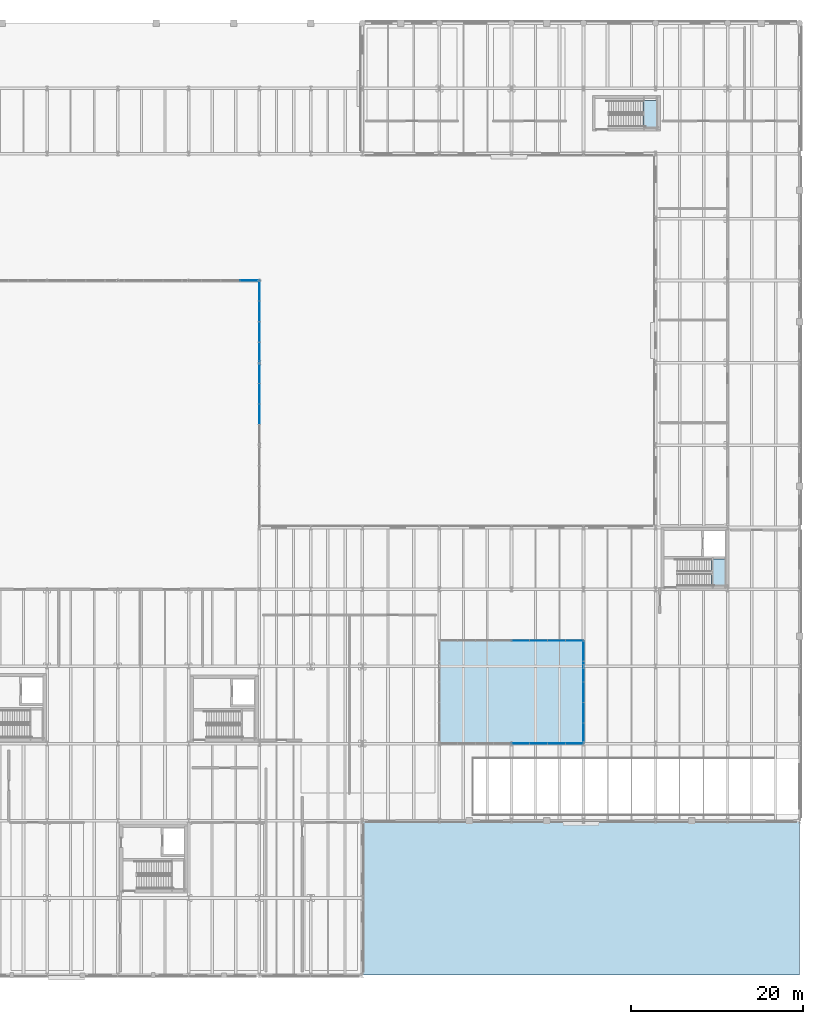
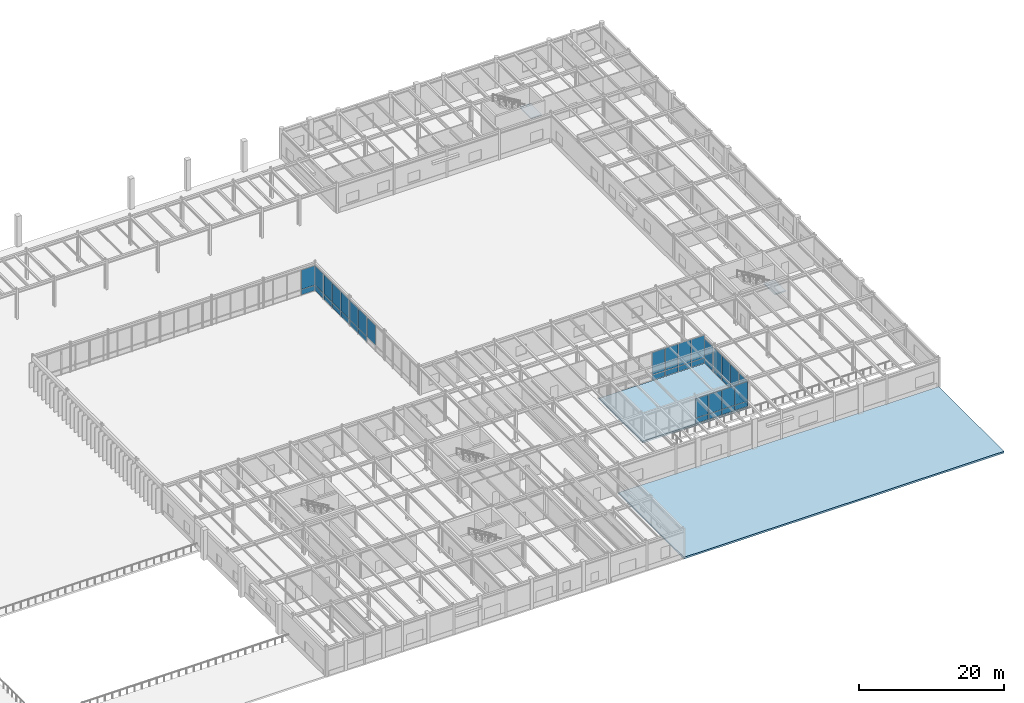
# One storey, part 36 of 64: 41 plates, 4 slabs, 8 elements without a shape of their own.
"""IFC4 building model written with IfcOpenShell, lengths in metres."""

from ifc_helpers import new_model, si_unit, direction, frame, origin, origin_2d, place, context, subcontext, project, spatial, polyline, rectangle, outline, extrude, material, layer, layer_set, type_object, element, aggregate, save


model = new_model("IFC4")

# Units and contexts
model_context = context("Model", 3, precision=1e-05, world=origin(), true_north=direction((0.0, 1.0)))
body_context = subcontext(model_context, "Body", "Model", "MODEL_VIEW")
ifc_project = project(units=[si_unit("LENGTHUNIT", "METRE"), si_unit("AREAUNIT", "SQUARE_METRE"), si_unit("VOLUMEUNIT", "CUBIC_METRE"), si_unit("PLANEANGLEUNIT", "RADIAN"), si_unit("MASSUNIT", "GRAM", prefix="KILO")], contexts=[model_context])

# Site, building, storey
site_placement = place(None, origin())
site = spatial("IfcSite", under=ifc_project, at=site_placement, CompositionType="ELEMENT")
building_placement = place(site_placement, origin())
building = spatial("IfcBuilding", under=site, at=building_placement, Name="Montealbar Specialist Clinic", CompositionType="ELEMENT")
storey_placement = place(building_placement, origin())
storey = spatial("IfcBuildingStorey", under=building, at=storey_placement, Name="L00", CompositionType="ELEMENT", Elevation=0.0)

# Curtain wall, plates
ifc_material_1 = material(Name="Low-E double glazing", Category="glass")
ifc_layer_1 = layer(ifc_material_1, 0.199951171875, Name="Low-E double glazing", Category="glass")
ifc_layer_set_1 = layer_set([ifc_layer_1], Name="Low-E double glazing")
curtain_wall_type_1 = type_object("IfcCurtainWallType", Name="CW-TYPE-05", PredefinedType="NOTDEFINED", material=ifc_layer_set_1)
curtain_wall_1_placement = place(storey_placement, origin())
curtain_wall_1 = element("IfcCurtainWall", 1, at=curtain_wall_1_placement, inside=storey, type_object=curtain_wall_type_1, Name="Unitised Curtain Wall CW-L00-1284-270-1368-270-0", PredefinedType="NOTDEFINED")
ifc_layer_2 = layer(ifc_material_1, 0.028076171875, Name="Low-E double glazing", Category="glass")
ifc_layer_set_2 = layer_set([ifc_layer_2], Name="Low-E double glazing")
plate_type_1 = type_object("IfcPlateType", Name="CW-PNL-IGU28", PredefinedType="CURTAIN_PANEL", material=ifc_layer_set_2)
plate_1_placement = place(storey_placement, frame((129.449951171875, 27.0, 0.070068359375), z_axis=(0.0, 0.0, 1.0), x_axis=(1.0, 0.0, 0.0)))
plate_1 = element("IfcPlate", 2, at=plate_1_placement, type_object=plate_type_1, Name="Glazed Curtain Panel CW-L00-1284-270-1368-270-0-1-1", PredefinedType="CURTAIN_PANEL", context=body_context, shape_type="SweptSolid", body=[
    extrude(rectangle(XDim=2.00390625, YDim=0.028076171875, at=origin_2d()), origin(), (0.0, 0.0, 1.0), 0.85009765625),
])
plate_2_placement = place(storey_placement, frame((129.449951171875, 27.0, 0.97998046875), z_axis=(0.0, 0.0, 1.0), x_axis=(1.0, 0.0, 0.0)))
plate_2 = element("IfcPlate", 3, at=plate_2_placement, type_object=plate_type_1, Name="Glazed Curtain Panel CW-L00-1284-270-1368-270-0-1-2", PredefinedType="CURTAIN_PANEL", context=body_context, shape_type="SweptSolid", body=[
    extrude(rectangle(XDim=2.00390625, YDim=0.028076171875, at=origin_2d()), origin(), (0.0, 0.0, 1.0), 3.260009765625),
])
plate_3_placement = place(storey_placement, frame((131.550048828125, 27.0, 0.070068359375), z_axis=(0.0, 0.0, 1.0), x_axis=(1.0, 0.0, 0.0)))
plate_3 = element("IfcPlate", 4, at=plate_3_placement, type_object=plate_type_1, Name="Glazed Curtain Panel CW-L00-1284-270-1368-270-0-2-1", PredefinedType="CURTAIN_PANEL", context=body_context, shape_type="SweptSolid", body=[
    extrude(rectangle(XDim=2.00390625, YDim=0.028076171875, at=origin_2d()), origin(), (0.0, 0.0, 1.0), 0.85009765625),
])
plate_4_placement = place(storey_placement, frame((131.550048828125, 27.0, 0.97998046875), z_axis=(0.0, 0.0, 1.0), x_axis=(1.0, 0.0, 0.0)))
plate_4 = element("IfcPlate", 5, at=plate_4_placement, type_object=plate_type_1, Name="Glazed Curtain Panel CW-L00-1284-270-1368-270-0-2-2", PredefinedType="CURTAIN_PANEL", context=body_context, shape_type="SweptSolid", body=[
    extrude(rectangle(XDim=2.00390625, YDim=0.028076171875, at=origin_2d()), origin(), (0.0, 0.0, 1.0), 3.260009765625),
])
plate_5_placement = place(storey_placement, frame((133.64990234375, 27.0, 0.070068359375), z_axis=(0.0, 0.0, 1.0), x_axis=(1.0, 0.0, 0.0)))
plate_5 = element("IfcPlate", 6, at=plate_5_placement, type_object=plate_type_1, Name="Glazed Curtain Panel CW-L00-1284-270-1368-270-0-3-1", PredefinedType="CURTAIN_PANEL", context=body_context, shape_type="SweptSolid", body=[
    extrude(rectangle(XDim=2.00390625, YDim=0.028076171875, at=origin_2d()), origin(), (0.0, 0.0, 1.0), 0.85009765625),
])
plate_6_placement = place(storey_placement, frame((133.64990234375, 27.0, 0.97998046875), z_axis=(0.0, 0.0, 1.0), x_axis=(1.0, 0.0, 0.0)))
plate_6 = element("IfcPlate", 7, at=plate_6_placement, type_object=plate_type_1, Name="Glazed Curtain Panel CW-L00-1284-270-1368-270-0-3-2", PredefinedType="CURTAIN_PANEL", context=body_context, shape_type="SweptSolid", body=[
    extrude(rectangle(XDim=2.00390625, YDim=0.028076171875, at=origin_2d()), origin(), (0.0, 0.0, 1.0), 3.260009765625),
])
plate_7_placement = place(storey_placement, frame((135.75, 27.0, 0.070068359375), z_axis=(0.0, 0.0, 1.0), x_axis=(1.0, 0.0, 0.0)))
plate_7 = element("IfcPlate", 8, at=plate_7_placement, type_object=plate_type_1, Name="Glazed Curtain Panel CW-L00-1284-270-1368-270-0-4-1", PredefinedType="CURTAIN_PANEL", context=body_context, shape_type="SweptSolid", body=[
    extrude(rectangle(XDim=2.00390625, YDim=0.028076171875, at=origin_2d()), origin(), (0.0, 0.0, 1.0), 0.85009765625),
])
plate_8_placement = place(storey_placement, frame((135.75, 27.0, 0.97998046875), z_axis=(0.0, 0.0, 1.0), x_axis=(1.0, 0.0, 0.0)))
plate_8 = element("IfcPlate", 9, at=plate_8_placement, type_object=plate_type_1, Name="Glazed Curtain Panel CW-L00-1284-270-1368-270-0-4-2", PredefinedType="CURTAIN_PANEL", context=body_context, shape_type="SweptSolid", body=[
    extrude(rectangle(XDim=2.00390625, YDim=0.028076171875, at=origin_2d()), origin(), (0.0, 0.0, 1.0), 3.260009765625),
])
aggregate(curtain_wall_1, [plate_1, plate_2, plate_3, plate_4, plate_5, plate_6, plate_7, plate_8])

ifc_layer_3 = layer(ifc_material_1, 0.199951171875, Name="Low-E double glazing", Category="glass")
ifc_layer_set_3 = layer_set([ifc_layer_3], Name="Low-E double glazing")
curtain_wall_type_2 = type_object("IfcCurtainWallType", Name="CW-TYPE-04", PredefinedType="NOTDEFINED", material=ifc_layer_set_3)
curtain_wall_2_placement = place(storey_placement, origin())
curtain_wall_2 = element("IfcCurtainWall", 10, at=curtain_wall_2_placement, inside=storey, type_object=curtain_wall_type_2, Name="Unitised Curtain Wall CW-L00-1368-270-1368-390-0", PredefinedType="NOTDEFINED")
plate_9_placement = place(storey_placement, frame((136.800048828125, 28.199951171875, 0.070068359375), z_axis=(0.0, 0.0, 1.0), x_axis=(0.0, 1.0, 0.0)))
plate_9 = element("IfcPlate", 11, at=plate_9_placement, type_object=plate_type_1, Name="Glazed Curtain Panel CW-L00-1368-270-1368-390-0-1-1", PredefinedType="CURTAIN_PANEL", context=body_context, shape_type="SweptSolid", body=[
    extrude(rectangle(XDim=2.303955078125, YDim=0.028076171875, at=origin_2d()), origin(), (0.0, 0.0, 1.0), 0.85009765625),
])
plate_10_placement = place(storey_placement, frame((136.800048828125, 28.199951171875, 0.97998046875), z_axis=(0.0, 0.0, 1.0), x_axis=(0.0, 1.0, 0.0)))
plate_10 = element("IfcPlate", 12, at=plate_10_placement, type_object=plate_type_1, Name="Glazed Curtain Panel CW-L00-1368-270-1368-390-0-1-2", PredefinedType="CURTAIN_PANEL", context=body_context, shape_type="SweptSolid", body=[
    extrude(rectangle(XDim=2.303955078125, YDim=0.028076171875, at=origin_2d()), origin(), (0.0, 0.0, 1.0), 3.260009765625),
])
plate_11_placement = place(storey_placement, frame((136.800048828125, 30.60009765625, 0.070068359375), z_axis=(0.0, 0.0, 1.0), x_axis=(0.0, 1.0, 0.0)))
plate_11 = element("IfcPlate", 13, at=plate_11_placement, type_object=plate_type_1, Name="Glazed Curtain Panel CW-L00-1368-270-1368-390-0-2-1", PredefinedType="CURTAIN_PANEL", context=body_context, shape_type="SweptSolid", body=[
    extrude(rectangle(XDim=2.303955078125, YDim=0.028076171875, at=origin_2d()), origin(), (0.0, 0.0, 1.0), 0.85009765625),
])
plate_12_placement = place(storey_placement, frame((136.800048828125, 30.60009765625, 0.97998046875), z_axis=(0.0, 0.0, 1.0), x_axis=(0.0, 1.0, 0.0)))
plate_12 = element("IfcPlate", 14, at=plate_12_placement, type_object=plate_type_1, Name="Glazed Curtain Panel CW-L00-1368-270-1368-390-0-2-2", PredefinedType="CURTAIN_PANEL", context=body_context, shape_type="SweptSolid", body=[
    extrude(rectangle(XDim=2.303955078125, YDim=0.028076171875, at=origin_2d()), origin(), (0.0, 0.0, 1.0), 3.260009765625),
])
plate_13_placement = place(storey_placement, frame((136.800048828125, 33.0, 0.070068359375), z_axis=(0.0, 0.0, 1.0), x_axis=(0.0, 1.0, 0.0)))
plate_13 = element("IfcPlate", 15, at=plate_13_placement, type_object=plate_type_1, Name="Glazed Curtain Panel CW-L00-1368-270-1368-390-0-3-1", PredefinedType="CURTAIN_PANEL", context=body_context, shape_type="SweptSolid", body=[
    extrude(rectangle(XDim=2.303955078125, YDim=0.028076171875, at=origin_2d()), origin(), (0.0, 0.0, 1.0), 0.85009765625),
])
plate_14_placement = place(storey_placement, frame((136.800048828125, 33.0, 0.97998046875), z_axis=(0.0, 0.0, 1.0), x_axis=(0.0, 1.0, 0.0)))
plate_14 = element("IfcPlate", 16, at=plate_14_placement, type_object=plate_type_1, Name="Glazed Curtain Panel CW-L00-1368-270-1368-390-0-3-2", PredefinedType="CURTAIN_PANEL", context=body_context, shape_type="SweptSolid", body=[
    extrude(rectangle(XDim=2.303955078125, YDim=0.028076171875, at=origin_2d()), origin(), (0.0, 0.0, 1.0), 3.260009765625),
])
plate_15_placement = place(storey_placement, frame((136.800048828125, 35.39990234375, 0.070068359375), z_axis=(0.0, 0.0, 1.0), x_axis=(0.0, 1.0, 0.0)))
plate_15 = element("IfcPlate", 17, at=plate_15_placement, type_object=plate_type_1, Name="Glazed Curtain Panel CW-L00-1368-270-1368-390-0-4-1", PredefinedType="CURTAIN_PANEL", context=body_context, shape_type="SweptSolid", body=[
    extrude(rectangle(XDim=2.303955078125, YDim=0.028076171875, at=origin_2d()), origin(), (0.0, 0.0, 1.0), 0.85009765625),
])
plate_16_placement = place(storey_placement, frame((136.800048828125, 35.39990234375, 0.97998046875), z_axis=(0.0, 0.0, 1.0), x_axis=(0.0, 1.0, 0.0)))
plate_16 = element("IfcPlate", 18, at=plate_16_placement, type_object=plate_type_1, Name="Glazed Curtain Panel CW-L00-1368-270-1368-390-0-4-2", PredefinedType="CURTAIN_PANEL", context=body_context, shape_type="SweptSolid", body=[
    extrude(rectangle(XDim=2.303955078125, YDim=0.028076171875, at=origin_2d()), origin(), (0.0, 0.0, 1.0), 3.260009765625),
])
plate_17_placement = place(storey_placement, frame((136.800048828125, 37.800048828125, 0.070068359375), z_axis=(0.0, 0.0, 1.0), x_axis=(0.0, 1.0, 0.0)))
plate_17 = element("IfcPlate", 19, at=plate_17_placement, type_object=plate_type_1, Name="Glazed Curtain Panel CW-L00-1368-270-1368-390-0-5-1", PredefinedType="CURTAIN_PANEL", context=body_context, shape_type="SweptSolid", body=[
    extrude(rectangle(XDim=2.303955078125, YDim=0.028076171875, at=origin_2d()), origin(), (0.0, 0.0, 1.0), 0.85009765625),
])
plate_18_placement = place(storey_placement, frame((136.800048828125, 37.800048828125, 0.97998046875), z_axis=(0.0, 0.0, 1.0), x_axis=(0.0, 1.0, 0.0)))
plate_18 = element("IfcPlate", 20, at=plate_18_placement, type_object=plate_type_1, Name="Glazed Curtain Panel CW-L00-1368-270-1368-390-0-5-2", PredefinedType="CURTAIN_PANEL", context=body_context, shape_type="SweptSolid", body=[
    extrude(rectangle(XDim=2.303955078125, YDim=0.028076171875, at=origin_2d()), origin(), (0.0, 0.0, 1.0), 3.260009765625),
])
aggregate(curtain_wall_2, [plate_9, plate_10, plate_11, plate_12, plate_13, plate_14, plate_15, plate_16, plate_17, plate_18])

ifc_layer_4 = layer(ifc_material_1, 0.199951171875, Name="Low-E double glazing", Category="glass")
ifc_layer_set_4 = layer_set([ifc_layer_4], Name="Low-E double glazing")
curtain_wall_type_3 = type_object("IfcCurtainWallType", Name="CW-TYPE-06", PredefinedType="NOTDEFINED", material=ifc_layer_set_4)
curtain_wall_3_placement = place(storey_placement, origin())
curtain_wall_3 = element("IfcCurtainWall", 21, at=curtain_wall_3_placement, inside=storey, type_object=curtain_wall_type_3, Name="Unitised Curtain Wall CW-L00-1368-390-1284-390-0", PredefinedType="NOTDEFINED")
plate_19_placement = place(storey_placement, frame((135.75, 39.0, 0.070068359375), z_axis=(0.0, 0.0, 1.0), x_axis=(-1.0, 0.0, 0.0)))
plate_19 = element("IfcPlate", 22, at=plate_19_placement, type_object=plate_type_1, Name="Glazed Curtain Panel CW-L00-1368-390-1284-390-0-1-1", PredefinedType="CURTAIN_PANEL", context=body_context, shape_type="SweptSolid", body=[
    extrude(rectangle(XDim=2.00390625, YDim=0.028076171875, at=origin_2d()), origin(), (0.0, 0.0, 1.0), 0.85009765625),
])
plate_20_placement = place(storey_placement, frame((135.75, 39.0, 0.97998046875), z_axis=(0.0, 0.0, 1.0), x_axis=(-1.0, 0.0, 0.0)))
plate_20 = element("IfcPlate", 23, at=plate_20_placement, type_object=plate_type_1, Name="Glazed Curtain Panel CW-L00-1368-390-1284-390-0-1-2", PredefinedType="CURTAIN_PANEL", context=body_context, shape_type="SweptSolid", body=[
    extrude(rectangle(XDim=2.00390625, YDim=0.028076171875, at=origin_2d()), origin(), (0.0, 0.0, 1.0), 3.77001953125),
])
plate_21_placement = place(storey_placement, frame((133.64990234375, 39.0, 0.070068359375), z_axis=(0.0, 0.0, 1.0), x_axis=(-1.0, 0.0, 0.0)))
plate_21 = element("IfcPlate", 24, at=plate_21_placement, type_object=plate_type_1, Name="Glazed Curtain Panel CW-L00-1368-390-1284-390-0-2-1", PredefinedType="CURTAIN_PANEL", context=body_context, shape_type="SweptSolid", body=[
    extrude(rectangle(XDim=2.00390625, YDim=0.028076171875, at=origin_2d()), origin(), (0.0, 0.0, 1.0), 0.85009765625),
])
plate_22_placement = place(storey_placement, frame((133.64990234375, 39.0, 0.97998046875), z_axis=(0.0, 0.0, 1.0), x_axis=(-1.0, 0.0, 0.0)))
plate_22 = element("IfcPlate", 25, at=plate_22_placement, type_object=plate_type_1, Name="Glazed Curtain Panel CW-L00-1368-390-1284-390-0-2-2", PredefinedType="CURTAIN_PANEL", context=body_context, shape_type="SweptSolid", body=[
    extrude(rectangle(XDim=2.00390625, YDim=0.028076171875, at=origin_2d()), origin(), (0.0, 0.0, 1.0), 3.77001953125),
])
plate_23_placement = place(storey_placement, frame((131.550048828125, 39.0, 0.070068359375), z_axis=(0.0, 0.0, 1.0), x_axis=(-1.0, 0.0, 0.0)))
plate_23 = element("IfcPlate", 26, at=plate_23_placement, type_object=plate_type_1, Name="Glazed Curtain Panel CW-L00-1368-390-1284-390-0-3-1", PredefinedType="CURTAIN_PANEL", context=body_context, shape_type="SweptSolid", body=[
    extrude(rectangle(XDim=2.00390625, YDim=0.028076171875, at=origin_2d()), origin(), (0.0, 0.0, 1.0), 0.85009765625),
])
plate_24_placement = place(storey_placement, frame((131.550048828125, 39.0, 0.97998046875), z_axis=(0.0, 0.0, 1.0), x_axis=(-1.0, 0.0, 0.0)))
plate_24 = element("IfcPlate", 27, at=plate_24_placement, type_object=plate_type_1, Name="Glazed Curtain Panel CW-L00-1368-390-1284-390-0-3-2", PredefinedType="CURTAIN_PANEL", context=body_context, shape_type="SweptSolid", body=[
    extrude(rectangle(XDim=2.00390625, YDim=0.028076171875, at=origin_2d()), origin(), (0.0, 0.0, 1.0), 3.77001953125),
])
plate_25_placement = place(storey_placement, frame((129.449951171875, 39.0, 0.070068359375), z_axis=(0.0, 0.0, 1.0), x_axis=(-1.0, 0.0, 0.0)))
plate_25 = element("IfcPlate", 28, at=plate_25_placement, type_object=plate_type_1, Name="Glazed Curtain Panel CW-L00-1368-390-1284-390-0-4-1", PredefinedType="CURTAIN_PANEL", context=body_context, shape_type="SweptSolid", body=[
    extrude(rectangle(XDim=2.00390625, YDim=0.028076171875, at=origin_2d()), origin(), (0.0, 0.0, 1.0), 0.85009765625),
])
plate_26_placement = place(storey_placement, frame((129.449951171875, 39.0, 0.97998046875), z_axis=(0.0, 0.0, 1.0), x_axis=(-1.0, 0.0, 0.0)))
plate_26 = element("IfcPlate", 29, at=plate_26_placement, type_object=plate_type_1, Name="Glazed Curtain Panel CW-L00-1368-390-1284-390-0-4-2", PredefinedType="CURTAIN_PANEL", context=body_context, shape_type="SweptSolid", body=[
    extrude(rectangle(XDim=2.00390625, YDim=0.028076171875, at=origin_2d()), origin(), (0.0, 0.0, 1.0), 3.77001953125),
])
aggregate(curtain_wall_3, [plate_19, plate_20, plate_21, plate_22, plate_23, plate_24, plate_25, plate_26])

ifc_layer_5 = layer(ifc_material_1, 0.199951171875, Name="Low-E double glazing", Category="glass")
ifc_layer_set_5 = layer_set([ifc_layer_5], Name="Low-E double glazing")
curtain_wall_type_4 = type_object("IfcCurtainWallType", Name="CW-TYPE-02", PredefinedType="NOTDEFINED", material=ifc_layer_set_5)
curtain_wall_4_placement = place(storey_placement, origin())
curtain_wall_4 = element("IfcCurtainWall", 30, at=curtain_wall_4_placement, inside=storey, type_object=curtain_wall_type_4, Name="Unitised Curtain Wall CW-L00-900-810-990-810-0", PredefinedType="NOTDEFINED")
ifc_layer_6 = layer(ifc_material_1, 0.048095703125, Name="Low-E double glazing", Category="glass")
ifc_layer_set_6 = layer_set([ifc_layer_6], Name="Low-E double glazing")
plate_type_2 = type_object("IfcPlateType", Name="CW-PNL-IGU48", PredefinedType="CURTAIN_PANEL", material=ifc_layer_set_6)
plate_27_placement = place(storey_placement, frame((97.875, 81.0, 0.070068359375), z_axis=(0.0, 0.0, 1.0), x_axis=(1.0, 0.0, 0.0)))
plate_27 = element("IfcPlate", 31, at=plate_27_placement, type_object=plate_type_2, Name="Glazed Curtain Panel CW-L00-900-810-990-810-0-4-1", PredefinedType="CURTAIN_PANEL", context=body_context, shape_type="SweptSolid", body=[
    extrude(rectangle(XDim=2.154052734375, YDim=0.048095703125, at=origin_2d()), origin(), (0.0, 0.0, 1.0), 0.85009765625),
])
plate_28_placement = place(storey_placement, frame((97.875, 81.0, 0.97998046875), z_axis=(0.0, 0.0, 1.0), x_axis=(1.0, 0.0, 0.0)))
plate_28 = element("IfcPlate", 32, at=plate_28_placement, type_object=plate_type_2, Name="Glazed Curtain Panel CW-L00-900-810-990-810-0-4-2", PredefinedType="CURTAIN_PANEL", context=body_context, shape_type="SweptSolid", body=[
    extrude(rectangle(XDim=2.154052734375, YDim=0.048095703125, at=origin_2d()), origin(), (0.0, 0.0, 1.0), 3.260009765625),
])
aggregate(curtain_wall_4, [plate_27, plate_28])

ifc_layer_7 = layer(ifc_material_1, 0.199951171875, Name="Low-E double glazing", Category="glass")
ifc_layer_set_7 = layer_set([ifc_layer_7], Name="Low-E double glazing")
curtain_wall_type_5 = type_object("IfcCurtainWallType", Name="CW-TYPE-03", PredefinedType="NOTDEFINED", material=ifc_layer_set_7)
curtain_wall_5_placement = place(storey_placement, origin())
curtain_wall_5 = element("IfcCurtainWall", 33, at=curtain_wall_5_placement, inside=storey, type_object=curtain_wall_type_5, Name="Unitised Curtain Wall CW-L00-990-810-990-714-0", PredefinedType="NOTDEFINED")
plate_29_placement = place(storey_placement, frame((99.0, 79.800048828125, 0.070068359375), z_axis=(0.0, 0.0, 1.0), x_axis=(0.0, -1.0, 0.0)))
plate_29 = element("IfcPlate", 34, at=plate_29_placement, type_object=plate_type_2, Name="Glazed Curtain Panel CW-L00-990-810-990-714-0-1-1", PredefinedType="CURTAIN_PANEL", context=body_context, shape_type="SweptSolid", body=[
    extrude(rectangle(XDim=2.303955078125, YDim=0.048095703125, at=origin_2d()), origin(), (0.0, 0.0, 1.0), 0.85009765625),
])
plate_30_placement = place(storey_placement, frame((99.0, 79.800048828125, 0.97998046875), z_axis=(0.0, 0.0, 1.0), x_axis=(0.0, -1.0, 0.0)))
plate_30 = element("IfcPlate", 35, at=plate_30_placement, type_object=plate_type_2, Name="Glazed Curtain Panel CW-L00-990-810-990-714-0-1-2", PredefinedType="CURTAIN_PANEL", context=body_context, shape_type="SweptSolid", body=[
    extrude(rectangle(XDim=2.303955078125, YDim=0.048095703125, at=origin_2d()), origin(), (0.0, 0.0, 1.0), 3.260009765625),
])
plate_31_placement = place(storey_placement, frame((99.0, 77.39990234375, 0.070068359375), z_axis=(0.0, 0.0, 1.0), x_axis=(0.0, -1.0, 0.0)))
plate_31 = element("IfcPlate", 36, at=plate_31_placement, type_object=plate_type_2, Name="Glazed Curtain Panel CW-L00-990-810-990-714-0-2-1", PredefinedType="CURTAIN_PANEL", context=body_context, shape_type="SweptSolid", body=[
    extrude(rectangle(XDim=2.303955078125, YDim=0.048095703125, at=origin_2d()), origin(), (0.0, 0.0, 1.0), 0.85009765625),
])
plate_32_placement = place(storey_placement, frame((99.0, 77.39990234375, 0.97998046875), z_axis=(0.0, 0.0, 1.0), x_axis=(0.0, -1.0, 0.0)))
plate_32 = element("IfcPlate", 37, at=plate_32_placement, type_object=plate_type_2, Name="Glazed Curtain Panel CW-L00-990-810-990-714-0-2-2", PredefinedType="CURTAIN_PANEL", context=body_context, shape_type="SweptSolid", body=[
    extrude(rectangle(XDim=2.303955078125, YDim=0.048095703125, at=origin_2d()), origin(), (0.0, 0.0, 1.0), 3.260009765625),
])
plate_33_placement = place(storey_placement, frame((99.0, 75.0, 0.070068359375), z_axis=(0.0, 0.0, 1.0), x_axis=(0.0, -1.0, 0.0)))
plate_33 = element("IfcPlate", 38, at=plate_33_placement, type_object=plate_type_2, Name="Glazed Curtain Panel CW-L00-990-810-990-714-0-3-1", PredefinedType="CURTAIN_PANEL", context=body_context, shape_type="SweptSolid", body=[
    extrude(rectangle(XDim=2.303955078125, YDim=0.048095703125, at=origin_2d()), origin(), (0.0, 0.0, 1.0), 0.85009765625),
])
plate_34_placement = place(storey_placement, frame((99.0, 75.0, 0.97998046875), z_axis=(0.0, 0.0, 1.0), x_axis=(0.0, -1.0, 0.0)))
plate_34 = element("IfcPlate", 39, at=plate_34_placement, type_object=plate_type_2, Name="Glazed Curtain Panel CW-L00-990-810-990-714-0-3-2", PredefinedType="CURTAIN_PANEL", context=body_context, shape_type="SweptSolid", body=[
    extrude(rectangle(XDim=2.303955078125, YDim=0.048095703125, at=origin_2d()), origin(), (0.0, 0.0, 1.0), 3.260009765625),
])
plate_35_placement = place(storey_placement, frame((99.0, 72.60009765625, 0.070068359375), z_axis=(0.0, 0.0, 1.0), x_axis=(0.0, -1.0, 0.0)))
plate_35 = element("IfcPlate", 40, at=plate_35_placement, type_object=plate_type_2, Name="Glazed Curtain Panel CW-L00-990-810-990-714-0-4-1", PredefinedType="CURTAIN_PANEL", context=body_context, shape_type="SweptSolid", body=[
    extrude(rectangle(XDim=2.303955078125, YDim=0.048095703125, at=origin_2d()), origin(), (0.0, 0.0, 1.0), 0.85009765625),
])
plate_36_placement = place(storey_placement, frame((99.0, 72.60009765625, 0.97998046875), z_axis=(0.0, 0.0, 1.0), x_axis=(0.0, -1.0, 0.0)))
plate_36 = element("IfcPlate", 41, at=plate_36_placement, type_object=plate_type_2, Name="Glazed Curtain Panel CW-L00-990-810-990-714-0-4-2", PredefinedType="CURTAIN_PANEL", context=body_context, shape_type="SweptSolid", body=[
    extrude(rectangle(XDim=2.303955078125, YDim=0.048095703125, at=origin_2d()), origin(), (0.0, 0.0, 1.0), 3.260009765625),
])
aggregate(curtain_wall_5, [plate_29, plate_30, plate_31, plate_32, plate_33, plate_34, plate_35, plate_36])

curtain_wall_6_placement = place(storey_placement, origin())
curtain_wall_6 = element("IfcCurtainWall", 42, at=curtain_wall_6_placement, inside=storey, type_object=curtain_wall_type_5, Name="Unitised Curtain Wall CW-L00-990-714-990-618-0", PredefinedType="NOTDEFINED")
plate_37_placement = place(storey_placement, frame((99.0, 70.199951171875, 0.070068359375), z_axis=(0.0, 0.0, 1.0), x_axis=(0.0, -1.0, 0.0)))
plate_37 = element("IfcPlate", 43, at=plate_37_placement, type_object=plate_type_2, Name="Glazed Curtain Panel CW-L00-990-714-990-618-0-1-1", PredefinedType="CURTAIN_PANEL", context=body_context, shape_type="SweptSolid", body=[
    extrude(rectangle(XDim=2.303955078125, YDim=0.048095703125, at=origin_2d()), origin(), (0.0, 0.0, 1.0), 0.85009765625),
])
plate_38_placement = place(storey_placement, frame((99.0, 70.199951171875, 0.97998046875), z_axis=(0.0, 0.0, 1.0), x_axis=(0.0, -1.0, 0.0)))
plate_38 = element("IfcPlate", 44, at=plate_38_placement, type_object=plate_type_2, Name="Glazed Curtain Panel CW-L00-990-714-990-618-0-1-2", PredefinedType="CURTAIN_PANEL", context=body_context, shape_type="SweptSolid", body=[
    extrude(rectangle(XDim=2.303955078125, YDim=0.048095703125, at=origin_2d()), origin(), (0.0, 0.0, 1.0), 3.260009765625),
])
plate_39_placement = place(storey_placement, frame((99.0, 67.800048828125, 0.070068359375), z_axis=(0.0, 0.0, 1.0), x_axis=(0.0, -1.0, 0.0)))
plate_39 = element("IfcPlate", 45, at=plate_39_placement, type_object=plate_type_2, Name="Glazed Curtain Panel CW-L00-990-714-990-618-0-2-1", PredefinedType="CURTAIN_PANEL", context=body_context, shape_type="SweptSolid", body=[
    extrude(rectangle(XDim=2.303955078125, YDim=0.048095703125, at=origin_2d()), origin(), (0.0, 0.0, 1.0), 0.85009765625),
])
plate_40_placement = place(storey_placement, frame((99.0, 67.800048828125, 0.97998046875), z_axis=(0.0, 0.0, 1.0), x_axis=(0.0, -1.0, 0.0)))
plate_40 = element("IfcPlate", 46, at=plate_40_placement, type_object=plate_type_2, Name="Glazed Curtain Panel CW-L00-990-714-990-618-0-2-2", PredefinedType="CURTAIN_PANEL", context=body_context, shape_type="SweptSolid", body=[
    extrude(rectangle(XDim=2.303955078125, YDim=0.048095703125, at=origin_2d()), origin(), (0.0, 0.0, 1.0), 3.260009765625),
])
plate_41_placement = place(storey_placement, frame((99.0, 65.39990234375, 0.97998046875), z_axis=(0.0, 0.0, 1.0), x_axis=(0.0, -1.0, 0.0)))
plate_41 = element("IfcPlate", 47, at=plate_41_placement, type_object=plate_type_2, Name="Glazed Curtain Panel CW-L00-990-714-990-618-0-3-2", PredefinedType="CURTAIN_PANEL", context=body_context, shape_type="SweptSolid", body=[
    extrude(rectangle(XDim=2.303955078125, YDim=0.048095703125, at=origin_2d()), origin(), (0.0, 0.0, 1.0), 3.260009765625),
])
aggregate(curtain_wall_6, [plate_37, plate_38, plate_39, plate_40, plate_41])

# Slabs
ifc_material_2 = material(Name="Concrete C30/37", Category="concrete")
ifc_layer_8 = layer(ifc_material_2, 0.300048828125, Name="Concrete C30/37", Category="concrete")
ifc_layer_set_8 = layer_set([ifc_layer_8], Name="Concrete C30/37")
slab_type_1 = type_object("IfcSlabType", Name="SL-PLAZA-140", PredefinedType="FLOOR", material=ifc_layer_set_8)
slab_1_placement = place(storey_placement, frame((0.0, 0.0, -0.300048828125)))
element("IfcSlab", 48, at=slab_1_placement, inside=storey, type_object=slab_type_1, Name="Exterior Ground Plaza Slab 01", PredefinedType="FLOOR", context=body_context, shape_type="SweptSolid", body=[
    extrude(outline(polyline([(111.0, 18.0), (162.0, 18.0), (162.0, 0.0), (111.0, 0.0), (111.0, 18.0)])), origin(), (0.0, 0.0, 1.0), 0.300048828125),
])
slab_2_placement = place(storey_placement, frame((0.0, 0.0, -0.300048828125)))
element("IfcSlab", 49, at=slab_2_placement, inside=storey, type_object=slab_type_1, Name="Exterior Ground Plaza Slab 03", PredefinedType="FLOOR", context=body_context, shape_type="SweptSolid", body=[
    extrude(outline(polyline([(120.0, 39.0), (136.800048828125, 39.0), (136.800048828125, 27.0), (120.0, 27.0), (120.0, 39.0)])), origin(), (0.0, 0.0, 1.0), 0.300048828125),
])

# Stair, slab
ifc_material_3 = material(Name="Concrete C35/45", Category="concrete")
stair_type = type_object("IfcStairType", Name="STAIR-HT-02", PredefinedType="HALF_TURN_STAIR", material=ifc_material_3)
stair_1_placement = place(storey_placement, origin())
stair_1 = element("IfcStair", 50, at=stair_1_placement, inside=storey, type_object=stair_type, Name="L00 Protected Exit Stair Core C6", PredefinedType="HALF_TURN_STAIR")
ifc_layer_9 = layer(ifc_material_3, 0.199951171875, Name="Concrete C35/45", Category="concrete")
ifc_layer_set_9 = layer_set([ifc_layer_9], Name="Concrete C35/45")
slab_type_2 = type_object("IfcSlabType", Name="SL-STAIR-LAND-200", PredefinedType="LANDING", material=ifc_layer_set_9)
slab_3_placement = place(storey_placement, frame((0.0, 0.0, 2.35009765625)))
slab_3 = element("IfcSlab", 51, at=slab_3_placement, type_object=slab_type_2, Name="ST-06 landing 1", PredefinedType="LANDING", context=body_context, shape_type="SweptSolid", body=[
    extrude(outline(polyline([(151.739990234375, 45.39990234375), (153.449951171875, 45.39990234375), (153.449951171875, 48.5), (151.739990234375, 48.5), (151.739990234375, 45.39990234375)])), origin(), (0.0, 0.0, 1.0), 0.199951171875),
])
aggregate(stair_1, [slab_3])

stair_2_placement = place(storey_placement, origin())
stair_2 = element("IfcStair", 52, at=stair_2_placement, inside=storey, type_object=stair_type, Name="L00 Protected Exit Stair Core C7", PredefinedType="HALF_TURN_STAIR")
slab_4_placement = place(storey_placement, frame((0.0, 0.0, 2.35009765625)))
slab_4 = element("IfcSlab", 53, at=slab_4_placement, type_object=slab_type_2, Name="ST-07 landing 1", PredefinedType="LANDING", context=body_context, shape_type="SweptSolid", body=[
    extrude(outline(polyline([(143.739990234375, 98.89990234375), (145.449951171875, 98.89990234375), (145.449951171875, 102.0), (143.739990234375, 102.0), (143.739990234375, 98.89990234375)])), origin(), (0.0, 0.0, 1.0), 0.199951171875),
])
aggregate(stair_2, [slab_4])

save(model, "model.ifc")
